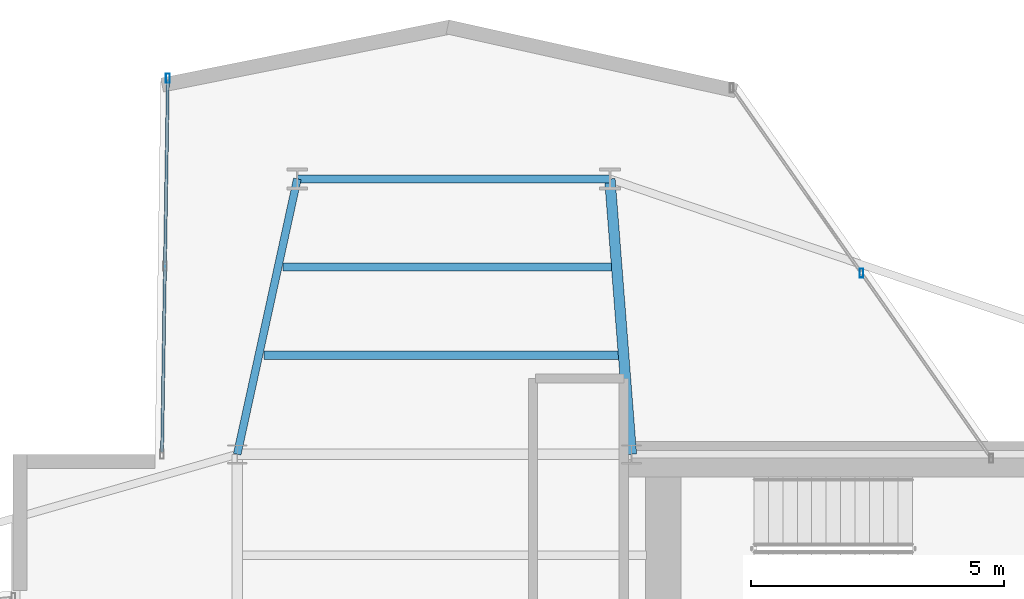
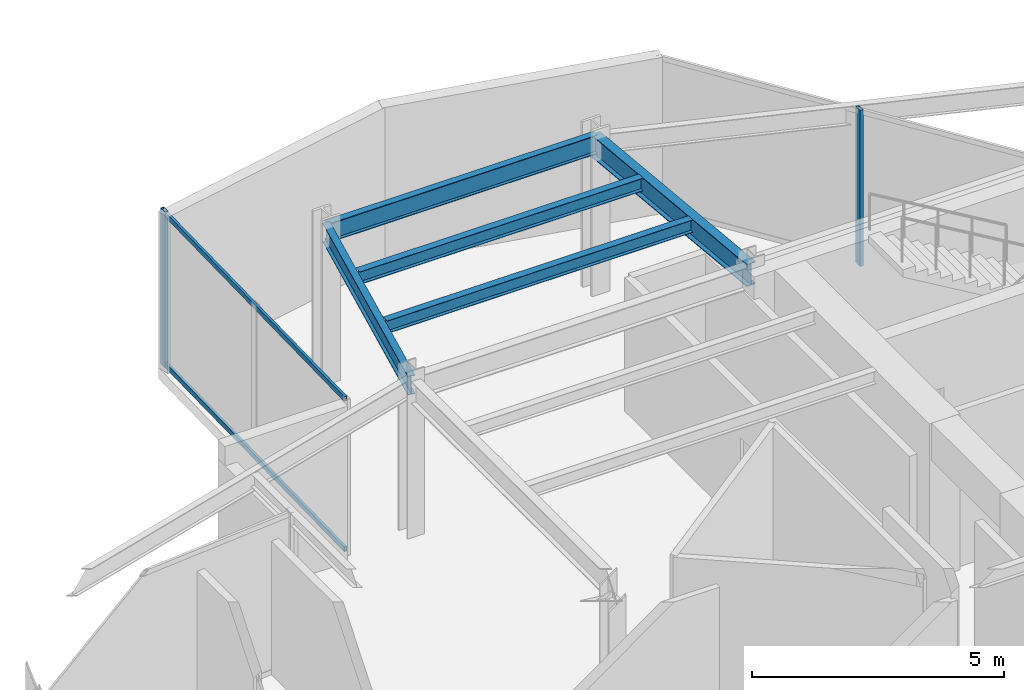
# One storey, part 11 of 22: 5 beams, 4 members, 2 elements without a shape of their own.
"""IFC4 building model written with IfcOpenShell, lengths in metres."""

from ifc_helpers import new_model, si_unit, direction, frame, origin, origin_2d, place, context, subcontext, project, spatial, hollow_rectangle, i_section, extrude, material, layer, layer_set, material_profile, profile_set, type_object, element, aggregate, save


model = new_model("IFC4")

# Units and contexts
model_context = context("Model", 3, precision=1e-05, world=origin(), true_north=direction((0.0, 1.0)))
body_context = subcontext(model_context, "Body", "Model", "MODEL_VIEW")
ifc_project = project(units=[si_unit("LENGTHUNIT", "METRE"), si_unit("AREAUNIT", "SQUARE_METRE"), si_unit("VOLUMEUNIT", "CUBIC_METRE"), si_unit("PLANEANGLEUNIT", "RADIAN"), si_unit("MASSUNIT", "GRAM", prefix="KILO")], contexts=[model_context])

# Site, building, storey
site_placement = place(None, origin())
site = spatial("IfcSite", under=ifc_project, at=site_placement, CompositionType="ELEMENT")
building_placement = place(site_placement, origin())
building = spatial("IfcBuilding", under=site, at=building_placement, Name="Veymaron Broadcast Tower", CompositionType="ELEMENT")
storey_placement = place(building_placement, frame((0.0, 0.0, 216.14990234375)))
storey = spatial("IfcBuildingStorey", under=building, at=storey_placement, Name="L50", CompositionType="ELEMENT", Elevation=216.14990234375)

# Beams
ifc_material_1 = material(Name="Structural steel ASTM A992 Gr 50", Category="steel")
ifc_material_profile_1 = material_profile(ifc_material_1, i_section(OverallWidth=0.2099609375, OverallDepth=0.537109375, WebThickness=0.010986328125, FlangeThickness=0.017333984375, at=origin_2d()), Name="W530X101")
ifc_profile_set_1 = profile_set([ifc_material_profile_1], Name="Structural steel ASTM A992 Gr 50")
beam_type_1 = type_object("IfcBeamType", Name="BM-FG3", PredefinedType="BEAM", material=ifc_profile_set_1)
beam_1_placement = place(storey_placement, frame((39.0, 32.0, 3.521484375), z_axis=(-0.077755189345, 0.996972482333, 0.0), x_axis=(-0.996972482333, -0.077755189345, 0.0)))
element("IfcBeam", 1, at=beam_1_placement, inside=storey, type_object=beam_type_1, Name="L50 primary structural floor girder", PredefinedType="BEAM", context=body_context, shape_type="SweptSolid", body=[
    extrude(i_section(OverallWidth=0.2099609375, OverallDepth=0.537109375, WebThickness=0.010986328125, FlangeThickness=0.017333984375, at=origin_2d()), origin(), (0.0, 0.0, 1.0), 5.466552734375),
])
ifc_material_profile_2 = material_profile(ifc_material_1, i_section(OverallWidth=0.1650390625, OverallDepth=0.31005859375, WebThickness=0.005859375, FlangeThickness=0.009765625, at=origin_2d()), Name="W310X39")
ifc_profile_set_2 = profile_set([ifc_material_profile_2], Name="Structural steel ASTM A992 Gr 50")
beam_type_2 = type_object("IfcBeamType", Name="BM-JS3", PredefinedType="JOIST", material=ifc_profile_set_2)
beam_2_placement = place(storey_placement, frame((31.728515625, 33.9619140625, 3.635009765625), z_axis=(1.0, 0.0, 0.0), x_axis=(0.0, 1.0, 0.0)))
element("IfcBeam", 2, at=beam_2_placement, inside=storey, type_object=beam_type_2, Name="L50 Arm-B secondary joist 1", PredefinedType="JOIST", context=body_context, shape_type="SweptSolid", body=[
    extrude(i_section(OverallWidth=0.1650390625, OverallDepth=0.31005859375, WebThickness=0.005859375, FlangeThickness=0.009765625, at=origin_2d()), origin(), (0.0, 0.0, 1.0), 7.0185546875),
])
beam_3_placement = place(storey_placement, frame((32.109130859375, 35.7060546875, 3.635009765625), z_axis=(1.0, 0.0, 0.0), x_axis=(0.0, 1.0, 0.0)))
element("IfcBeam", 3, at=beam_3_placement, inside=storey, type_object=beam_type_2, Name="L50 Arm-B secondary joist 2", PredefinedType="JOIST", context=body_context, shape_type="SweptSolid", body=[
    extrude(i_section(OverallWidth=0.1650390625, OverallDepth=0.31005859375, WebThickness=0.005859375, FlangeThickness=0.009765625, at=origin_2d()), origin(), (0.0, 0.0, 1.0), 6.501953125),
])
ifc_material_profile_3 = material_profile(ifc_material_1, i_section(OverallWidth=0.154052734375, OverallDepth=0.458984375, WebThickness=0.009033203125, FlangeThickness=0.015380859375, at=origin_2d()), Name="W460X68")
ifc_profile_set_3 = profile_set([ifc_material_profile_3], Name="Structural steel ASTM A992 Gr 50")
beam_type_3 = type_object("IfcBeamType", Name="BM-SP2", PredefinedType="SPANDREL", material=ifc_profile_set_3)
beam_4_placement = place(storey_placement, frame((31.199951171875, 32.0, 3.560546875), z_axis=(0.21331443187, 0.976983599226, 0.0), x_axis=(-0.976983599226, 0.21331443187, 0.0)))
element("IfcBeam", 4, at=beam_4_placement, inside=storey, type_object=beam_type_3, Name="L50 primary structural floor girder", PredefinedType="SPANDREL", context=body_context, shape_type="SweptSolid", body=[
    extrude(i_section(OverallWidth=0.154052734375, OverallDepth=0.458984375, WebThickness=0.009033203125, FlangeThickness=0.015380859375, at=origin_2d()), origin(), (0.0, 0.0, 1.0), 5.578369140625),
])
beam_5_placement = place(storey_placement, frame((32.389892578125, 37.449951171875, 3.560546875), z_axis=(1.0, 0.0, 0.0), x_axis=(0.0, 1.0, 0.0)))
element("IfcBeam", 5, at=beam_5_placement, inside=storey, type_object=beam_type_3, Name="L50 primary structural floor girder", PredefinedType="SPANDREL", context=body_context, shape_type="SweptSolid", body=[
    extrude(i_section(OverallWidth=0.154052734375, OverallDepth=0.458984375, WebThickness=0.009033203125, FlangeThickness=0.015380859375, at=origin_2d()), origin(), (0.0, 0.0, 1.0), 6.18505859375),
])

# Curtain wall, member
ifc_material_2 = material(Name="Anodised aluminium AA 6063-T6 and laminated low-E dark glass", Category="aluminium")
ifc_layer = layer(ifc_material_2, 0.179931640625)
ifc_layer_set = layer_set([ifc_layer], Name="Anodised aluminium AA 6063-T6 and laminated low-E dark glass")
curtain_wall_type = type_object("IfcCurtainWallType", Name="CW-SYS-05", PredefinedType="NOTDEFINED", material=ifc_layer_set)
curtain_wall_1_placement = place(storey_placement, origin())
curtain_wall_1 = element("IfcCurtainWall", 6, at=curtain_wall_1_placement, inside=storey, type_object=curtain_wall_type, Name="L50 dark-glass curtain wall CW-L50-E5-1", PredefinedType="NOTDEFINED")
ifc_material_3 = material(Name="Anodised aluminium AA 6063-T6", Category="aluminium")
ifc_material_profile_4 = material_profile(ifc_material_3, hollow_rectangle(XDim=0.074951171875, YDim=0.179931640625, WallThickness=0.0048828125, at=origin_2d()), Name="AL180X75X5")
ifc_profile_set_4 = profile_set([ifc_material_profile_4], Name="Anodised aluminium AA 6063-T6")
member_type_1 = type_object("IfcMemberType", Name="CW-MUL-02", PredefinedType="MULLION", material=ifc_profile_set_4)
member_1_placement = place(storey_placement, frame((43.55615234375, 35.584716796875, 0.0), z_axis=(0.0, 0.0, 1.0), x_axis=(1.0, 0.0, 0.0)))
member_1 = element("IfcMember", 7, at=member_1_placement, type_object=member_type_1, Name="CW-L50-E5-1 mullion 1", PredefinedType="MULLION", context=body_context, shape_type="SweptSolid", body=[
    extrude(hollow_rectangle(XDim=0.074951171875, YDim=0.179931640625, WallThickness=0.0048828125, at=origin_2d()), origin(), (0.0, 0.0, 1.0), 3.7900390625),
])
aggregate(curtain_wall_1, [member_1])

# Curtain wall, members
curtain_wall_2_placement = place(storey_placement, origin())
curtain_wall_2 = element("IfcCurtainWall", 8, at=curtain_wall_2_placement, inside=storey, type_object=curtain_wall_type, Name="L50 dark-glass curtain wall CW-L50-E8-1", PredefinedType="NOTDEFINED")
member_2_placement = place(storey_placement, frame((29.82763671875, 39.44287109375, 0.0), z_axis=(0.0, 0.0, 1.0), x_axis=(1.0, 0.0, 0.0)))
member_2 = element("IfcMember", 9, at=member_2_placement, type_object=member_type_1, Name="CW-L50-E8-1 mullion 0", PredefinedType="MULLION", context=body_context, shape_type="SweptSolid", body=[
    extrude(hollow_rectangle(XDim=0.074951171875, YDim=0.179931640625, WallThickness=0.0048828125, at=origin_2d()), origin(), (0.0, 0.0, 1.0), 3.7900390625),
])
ifc_material_profile_5 = material_profile(ifc_material_3, hollow_rectangle(XDim=0.06005859375, YDim=0.1201171875, WallThickness=0.00390625, at=origin_2d()), Name="AL120X60X4")
ifc_profile_set_5 = profile_set([ifc_material_profile_5], Name="Anodised aluminium AA 6063-T6")
member_type_2 = type_object("IfcMemberType", Name="CW-TRN-02", PredefinedType="USERDEFINED", material=ifc_profile_set_5)
member_3_placement = place(storey_placement, frame((29.826904296875, 39.392822265625, 0.070068359375), z_axis=(-0.015487588765, -0.999880060104, 0.0), x_axis=(0.999880060104, -0.015487588765, 0.0)))
member_3 = element("IfcMember", 10, at=member_3_placement, type_object=member_type_2, Name="CW-L50-E8-1 transom B", ObjectType="TRANSOM", PredefinedType="USERDEFINED", context=body_context, shape_type="SweptSolid", body=[
    extrude(hollow_rectangle(XDim=0.06005859375, YDim=0.1201171875, WallThickness=0.00390625, at=origin_2d()), origin(), (0.0, 0.0, 1.0), 7.345947265625),
])
member_4_placement = place(storey_placement, frame((29.826904296875, 39.392822265625, 3.72021484375), z_axis=(-0.015487588765, -0.999880060104, 0.0), x_axis=(0.999880060104, -0.015487588765, 0.0)))
member_4 = element("IfcMember", 11, at=member_4_placement, type_object=member_type_2, Name="CW-L50-E8-1 transom T", ObjectType="TRANSOM", PredefinedType="USERDEFINED", context=body_context, shape_type="SweptSolid", body=[
    extrude(hollow_rectangle(XDim=0.06005859375, YDim=0.1201171875, WallThickness=0.00390625, at=origin_2d()), origin(), (0.0, 0.0, 1.0), 7.345947265625),
])
aggregate(curtain_wall_2, [member_2, member_3, member_4])

save(model, "model.ifc")
